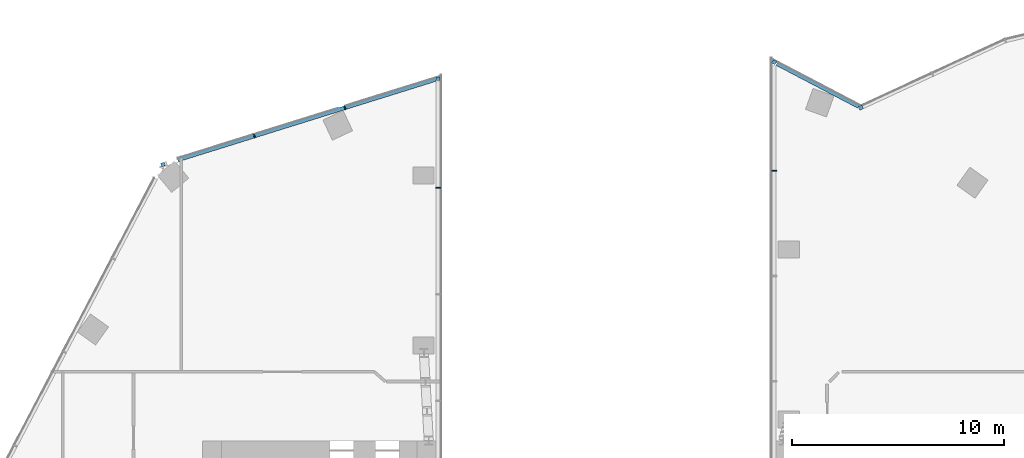
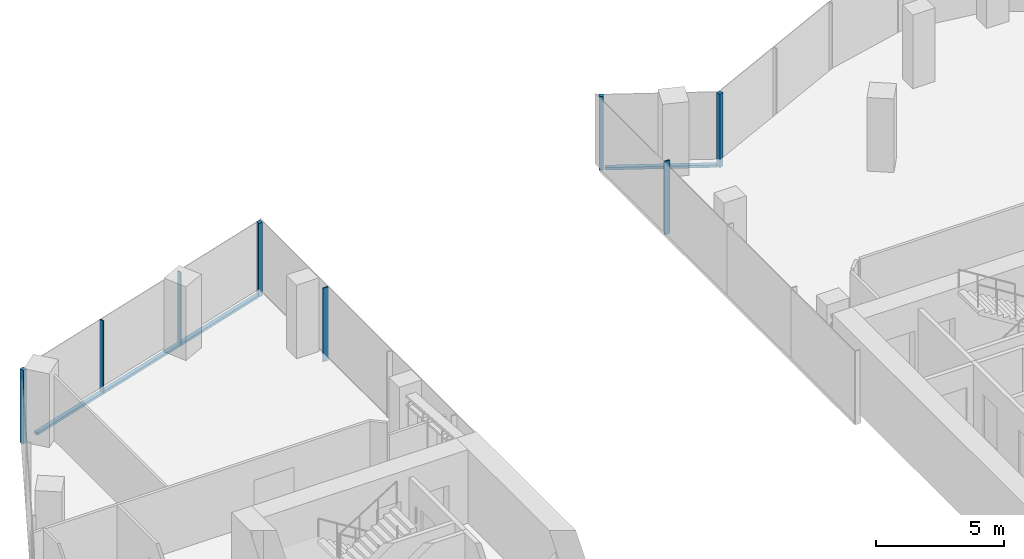
# One storey, part 10 of 23: 10 members, 5 elements without a shape of their own.
"""IFC4 building model written with IfcOpenShell, lengths in metres."""

from ifc_helpers import new_model, si_unit, direction, frame, origin, origin_2d, place, context, subcontext, project, spatial, rectangle, extrude, material, material_profile, profile_set, type_object, element, aggregate, save


model = new_model("IFC4")

# Units and contexts
model_context = context("Model", 3, precision=1e-05, world=origin(), true_north=direction((0.0, 1.0)))
body_context = subcontext(model_context, "Body", "Model", "MODEL_VIEW")
ifc_project = project(units=[si_unit("LENGTHUNIT", "METRE"), si_unit("AREAUNIT", "SQUARE_METRE"), si_unit("VOLUMEUNIT", "CUBIC_METRE"), si_unit("PLANEANGLEUNIT", "RADIAN"), si_unit("MASSUNIT", "GRAM", prefix="KILO")], contexts=[model_context])

# Site, building, storey
site_placement = place(None, origin())
site = spatial("IfcSite", under=ifc_project, at=site_placement, CompositionType="ELEMENT")
building_placement = place(site_placement, origin())
building = spatial("IfcBuilding", under=site, at=building_placement, Name="Orlundy Tower", CompositionType="ELEMENT")
storey_placement = place(building_placement, frame((0.0, 0.0, 257.0)))
storey = spatial("IfcBuildingStorey", under=building, at=storey_placement, Name="L68", CompositionType="ELEMENT", Elevation=257.0)

# Curtain wall, member
ifc_material_1 = material(Name="Aluminium bronze anodised", Category="aluminium")
curtain_wall_type = type_object("IfcCurtainWallType", Name="CW1 wall", PredefinedType="NOTDEFINED", material=ifc_material_1)
curtain_wall_1_placement = place(storey_placement, origin())
curtain_wall_1 = element("IfcCurtainWall", 1, at=curtain_wall_1_placement, inside=storey, type_object=curtain_wall_type, Name="CW1 run 03", PredefinedType="NOTDEFINED")
ifc_material_2 = material(Name="Aluminium bronze anodised", Category="aluminium")
ifc_material_profile_1 = material_profile(ifc_material_2, rectangle(XDim=0.179931640625, YDim=0.179931640625, at=origin_2d()), Name="CW1 corner post 180x180")
ifc_profile_set_1 = profile_set([ifc_material_profile_1], Name="Aluminium bronze anodised")
member_type_1 = type_object("IfcMemberType", Name="CW1 corner post 180x180", PredefinedType="MULLION", material=ifc_profile_set_1)
member_1_placement = place(storey_placement, frame((-20.8623046875, 25.009765625, -0.39990234375), z_axis=(0.0, 0.0, 1.0), x_axis=(-0.297935263894, 0.954586077066, 0.0)))
member_1 = element("IfcMember", 2, at=member_1_placement, type_object=member_type_1, Name="CW1 mullion 13", PredefinedType="MULLION", context=body_context, shape_type="SweptSolid", body=[
    extrude(rectangle(XDim=0.179931640625, YDim=0.179931640625, at=origin_2d()), origin(), (0.0, 0.0, 1.0), 3.5),
])

curtain_wall_2_placement = place(storey_placement, origin())
curtain_wall_2 = element("IfcCurtainWall", 3, at=curtain_wall_2_placement, inside=storey, type_object=curtain_wall_type, Name="CW1 run 04", PredefinedType="NOTDEFINED")
member_2_placement = place(storey_placement, frame((-7.909912109375, 29.052490234375, -0.39990234375), z_axis=(0.0, 0.0, 1.0), x_axis=(1.0, 0.0, 0.0)))
member_2 = element("IfcMember", 4, at=member_2_placement, type_object=member_type_1, Name="CW1 mullion 16", PredefinedType="MULLION", context=body_context, shape_type="SweptSolid", body=[
    extrude(rectangle(XDim=0.179931640625, YDim=0.179931640625, at=origin_2d()), origin(), (0.0, 0.0, 1.0), 3.5),
])

curtain_wall_3_placement = place(storey_placement, origin())
curtain_wall_3 = element("IfcCurtainWall", 5, at=curtain_wall_3_placement, inside=storey, type_object=curtain_wall_type, Name="CW1 run 10", PredefinedType="NOTDEFINED")
member_3_placement = place(storey_placement, frame((11.993408203125, 27.687255859375, -0.39990234375), z_axis=(0.0, 0.0, 1.0), x_axis=(-0.419975748486, 0.907535327513, 0.0)))
member_3 = element("IfcMember", 6, at=member_3_placement, type_object=member_type_1, Name="CW1 mullion 1", PredefinedType="MULLION", context=body_context, shape_type="SweptSolid", body=[
    extrude(rectangle(XDim=0.179931640625, YDim=0.179931640625, at=origin_2d()), origin(), (0.0, 0.0, 1.0), 3.5),
])
aggregate(curtain_wall_3, [member_3])

curtain_wall_4_placement = place(storey_placement, origin())
curtain_wall_4 = element("IfcCurtainWall", 7, at=curtain_wall_4_placement, inside=storey, type_object=curtain_wall_type, Name="CW1 run 119", PredefinedType="NOTDEFINED")
member_4_placement = place(storey_placement, frame((7.909912109375, 29.827880859375, -0.39990234375), z_axis=(0.0, 0.0, 1.0), x_axis=(0.464264043147, 0.885696843305, 0.0)))
member_4 = element("IfcMember", 8, at=member_4_placement, type_object=member_type_1, Name="CW1 mullion 40", PredefinedType="MULLION", context=body_context, shape_type="SweptSolid", body=[
    extrude(rectangle(XDim=0.179931640625, YDim=0.179931640625, at=origin_2d()), origin(), (0.0, 0.0, 1.0), 3.5),
])

# Member
ifc_material_3 = material(Name="Aluminium bronze anodised", Category="aluminium")
ifc_material_profile_2 = material_profile(ifc_material_3, rectangle(XDim=0.179931640625, YDim=0.050048828125, at=origin_2d()), Name="CW1 mullion 50x180")
ifc_profile_set_2 = profile_set([ifc_material_profile_2], Name="Aluminium bronze anodised")
member_type_2 = type_object("IfcMemberType", Name="CW1 mullion 50x180", PredefinedType="MULLION", material=ifc_profile_set_2)
member_5_placement = place(storey_placement, frame((-16.56005859375, 26.3525390625, -0.39990234375), z_axis=(0.0, 0.0, 1.0), x_axis=(-0.297935263894, 0.954586077066, 0.0)))
member_5 = element("IfcMember", 9, at=member_5_placement, type_object=member_type_2, Name="CW1 mullion 14", PredefinedType="MULLION", context=body_context, shape_type="SweptSolid", body=[
    extrude(rectangle(XDim=0.179931640625, YDim=0.050048828125, at=origin_2d()), origin(), (0.0, 0.0, 1.0), 3.5),
])

member_6_placement = place(storey_placement, frame((-12.29345703125, 27.684326171875, -0.39990234375), z_axis=(0.0, 0.0, 1.0), x_axis=(-0.297935263894, 0.954586077066, 0.0)))
member_6 = element("IfcMember", 10, at=member_6_placement, type_object=member_type_2, Name="CW1 mullion 15", PredefinedType="MULLION", context=body_context, shape_type="SweptSolid", body=[
    extrude(rectangle(XDim=0.179931640625, YDim=0.050048828125, at=origin_2d()), origin(), (0.0, 0.0, 1.0), 3.5),
])

ifc_material_4 = material(Name="Aluminium bronze anodised", Category="aluminium")
ifc_material_profile_3 = material_profile(ifc_material_4, rectangle(XDim=0.179931640625, YDim=0.1201171875, at=origin_2d()), Name="CW1 transom 180x120")
ifc_profile_set_3 = profile_set([ifc_material_profile_3], Name="Aluminium bronze anodised")
member_type_3 = type_object("IfcMemberType", Name="CW1 transom 180x120", PredefinedType="USERDEFINED", material=ifc_profile_set_3)
member_7_placement = place(storey_placement, frame((-20.16455078125, 25.2275390625, -0.340087890625), z_axis=(0.95458514702, 0.297938243751, 0.0), x_axis=(-0.297938243751, 0.95458514702, 0.0)))
member_7 = element("IfcMember", 11, at=member_7_placement, type_object=member_type_3, Name="CW1 transom", ObjectType="TRANSOM", PredefinedType="USERDEFINED", context=body_context, shape_type="SweptSolid", body=[
    extrude(rectangle(XDim=0.179931640625, YDim=0.1201171875, at=origin_2d()), origin(), (0.0, 0.0, 1.0), 12.715087890625),
])

aggregate(curtain_wall_1, [member_1, member_5, member_6, member_7])

member_8_placement = place(storey_placement, frame((8.041748046875, 29.7587890625, -0.340087890625), z_axis=(0.88569522936, -0.464267122128, 0.0), x_axis=(0.464267122128, 0.88569522936, 0.0)))
member_8 = element("IfcMember", 12, at=member_8_placement, type_object=member_type_3, Name="CW1 transom", ObjectType="TRANSOM", PredefinedType="USERDEFINED", context=body_context, shape_type="SweptSolid", body=[
    extrude(rectangle(XDim=0.179931640625, YDim=0.1201171875, at=origin_2d()), origin(), (0.0, 0.0, 1.0), 4.348388671875),
])

aggregate(curtain_wall_4, [member_4, member_8])

ifc_material_5 = material(Name="Aluminium bronze anodised", Category="aluminium")
ifc_material_profile_4 = material_profile(ifc_material_5, rectangle(XDim=0.239990234375, YDim=0.050048828125, at=origin_2d()), Name="CW6 mullion 50x240")
ifc_profile_set_4 = profile_set([ifc_material_profile_4], Name="Aluminium bronze anodised")
member_type_4 = type_object("IfcMemberType", Name="CW6 mullion 50x240", PredefinedType="MULLION", material=ifc_profile_set_4)
member_9_placement = place(storey_placement, frame((-7.909912109375, 23.919189453125, -0.39990234375), z_axis=(0.0, 0.0, 1.0), x_axis=(1.0, 0.0, 0.0)))
member_9 = element("IfcMember", 13, at=member_9_placement, type_object=member_type_4, Name="CW6 mullion 17", PredefinedType="MULLION", context=body_context, shape_type="SweptSolid", body=[
    extrude(rectangle(XDim=0.239990234375, YDim=0.050048828125, at=origin_2d()), origin(), (0.0, 0.0, 1.0), 3.5),
])

aggregate(curtain_wall_2, [member_2, member_9])

# Curtain wall, member
curtain_wall_5_placement = place(storey_placement, origin())
curtain_wall_5 = element("IfcCurtainWall", 14, at=curtain_wall_5_placement, inside=storey, type_object=curtain_wall_type, Name="CW1 run 118", PredefinedType="NOTDEFINED")
member_10_placement = place(storey_placement, frame((7.909912109375, 24.72216796875, -0.39990234375), z_axis=(0.0, 0.0, 1.0), x_axis=(-1.0, 0.0, 0.0)))
member_10 = element("IfcMember", 15, at=member_10_placement, type_object=member_type_4, Name="CW6 mullion 39", PredefinedType="MULLION", context=body_context, shape_type="SweptSolid", body=[
    extrude(rectangle(XDim=0.239990234375, YDim=0.050048828125, at=origin_2d()), origin(), (0.0, 0.0, 1.0), 3.5),
])
aggregate(curtain_wall_5, [member_10])

save(model, "model.ifc")
